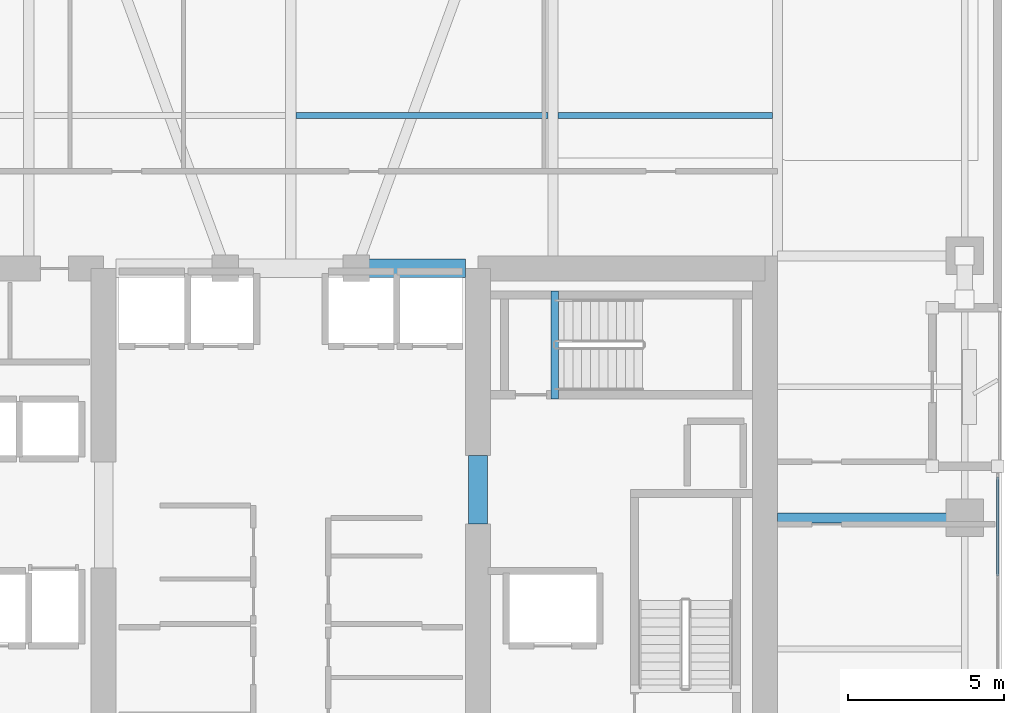
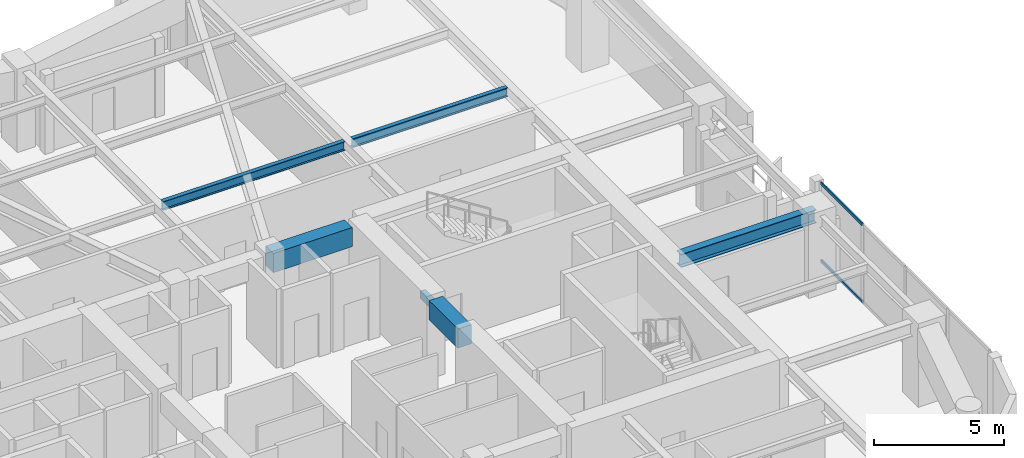
# One storey, part 10 of 30: 6 beams, 2 members, 1 element without a shape of its own.
"""IFC4 building model written with IfcOpenShell, lengths in metres."""

from ifc_helpers import new_model, si_unit, direction, frame, origin, origin_2d, place, context, subcontext, project, spatial, rectangle, hollow_rectangle, i_section, extrude, material, layer, layer_set, material_profile, profile_set, type_object, element, aggregate, save


model = new_model("IFC4")

# Units and contexts
model_context = context("Model", 3, precision=1e-05, world=origin(), true_north=direction((0.0, 1.0)))
body_context = subcontext(model_context, "Body", "Model", "MODEL_VIEW")
ifc_project = project(units=[si_unit("LENGTHUNIT", "METRE"), si_unit("AREAUNIT", "SQUARE_METRE"), si_unit("VOLUMEUNIT", "CUBIC_METRE"), si_unit("PLANEANGLEUNIT", "RADIAN"), si_unit("MASSUNIT", "GRAM", prefix="KILO")], contexts=[model_context])

# Site, building, storey
site_placement = place(None, origin())
site = spatial("IfcSite", under=ifc_project, at=site_placement, CompositionType="ELEMENT")
building_placement = place(site_placement, origin())
building = spatial("IfcBuilding", under=site, at=building_placement, Name="Kiyonajd Concourse Tower", CompositionType="ELEMENT")
storey_placement = place(building_placement, frame((0.0, 0.0, 170.10009765625)))
storey = spatial("IfcBuildingStorey", under=building, at=storey_placement, Name="L43", CompositionType="ELEMENT", Elevation=170.10009765625)

# Beams
ifc_material_1 = material(Name="Concrete C60/75", Category="concrete")
ifc_material_profile_1 = material_profile(ifc_material_1, rectangle(XDim=0.60009765625, YDim=0.89990234375, at=origin_2d()), Name="RCBM-600x900")
ifc_profile_set_1 = profile_set([ifc_material_profile_1], Name="Concrete C60/75")
beam_type_1 = type_object("IfcBeamType", Name="BM-COUP-900", PredefinedType="LINTEL", material=ifc_profile_set_1)
beam_1_placement = place(storey_placement, frame((50.10009765625, 44.0, 3.22998046875), z_axis=(1.0, 0.0, 0.0), x_axis=(0.0, 1.0, 0.0)))
element("IfcBeam", 1, at=beam_1_placement, inside=storey, type_object=beam_type_1, Name="L43 Core Coupling Beam N3", PredefinedType="LINTEL", context=body_context, shape_type="SweptSolid", body=[
    extrude(rectangle(XDim=0.60009765625, YDim=0.89990234375, at=origin_2d()), origin(), (0.0, 0.0, 1.0), 3.5),
])
beam_2_placement = place(storey_placement, frame((54.0, 35.800048828125, 3.22998046875), z_axis=(0.0, 1.0, 0.0), x_axis=(-1.0, 0.0, 0.0)))
element("IfcBeam", 2, at=beam_2_placement, inside=storey, type_object=beam_type_1, Name="L43 East Core Throat Coupling Lintel", PredefinedType="LINTEL", context=body_context, shape_type="SweptSolid", body=[
    extrude(rectangle(XDim=0.60009765625, YDim=0.89990234375, at=origin_2d()), origin(), (0.0, 0.0, 1.0), 2.199951171875),
])
ifc_material_2 = material(Name="Steel ASTM A992 Grade 50", Category="steel")
ifc_material_profile_2 = material_profile(ifc_material_2, i_section(OverallWidth=0.180908203125, OverallDepth=0.4169921875, WebThickness=0.010986328125, FlangeThickness=0.018310546875, at=origin_2d()), Name="W410X85")
ifc_profile_set_2 = profile_set([ifc_material_profile_2], Name="Steel ASTM A992 Grade 50")
beam_type_2 = type_object("IfcBeamType", Name="BM-JST-410", PredefinedType="JOIST", material=ifc_profile_set_2)
beam_3_placement = place(storey_placement, frame((48.16357421875, 48.89990234375, 3.471435546875), z_axis=(1.0, 0.0, 0.0), x_axis=(0.0, 1.0, 0.0)))
element("IfcBeam", 3, at=beam_3_placement, inside=storey, type_object=beam_type_2, Name="L43 Secondary Floor Joist", PredefinedType="JOIST", context=body_context, shape_type="SweptSolid", body=[
    extrude(i_section(OverallWidth=0.180908203125, OverallDepth=0.4169921875, WebThickness=0.010986328125, FlangeThickness=0.018310546875, at=origin_2d()), origin(), (0.0, 0.0, 1.0), 8.072998046875),
])
beam_4_placement = place(storey_placement, frame((56.5634765625, 48.89990234375, 3.471435546875), z_axis=(1.0, 0.0, 0.0), x_axis=(0.0, 1.0, 0.0)))
element("IfcBeam", 4, at=beam_4_placement, inside=storey, type_object=beam_type_2, Name="L43 Secondary Floor Joist", PredefinedType="JOIST", context=body_context, shape_type="SweptSolid", body=[
    extrude(i_section(OverallWidth=0.180908203125, OverallDepth=0.4169921875, WebThickness=0.010986328125, FlangeThickness=0.018310546875, at=origin_2d()), origin(), (0.0, 0.0, 1.0), 6.873046875),
])
ifc_material_3 = material(Name="Concrete C50/60", Category="concrete")
ifc_material_profile_3 = material_profile(ifc_material_3, rectangle(XDim=0.239990234375, YDim=0.320068359375, at=origin_2d()), Name="RCBM-240x320")
ifc_profile_set_3 = profile_set([ifc_material_profile_3], Name="Concrete C50/60")
beam_type_3 = type_object("IfcBeamType", Name="BM-LNT-250", PredefinedType="LINTEL", material=ifc_profile_set_3)
beam_5_placement = place(storey_placement, frame((56.4599609375, 39.820068359375, -0.16015625), z_axis=(0.0, 1.0, 0.0), x_axis=(-1.0, 0.0, 0.0)))
element("IfcBeam", 5, at=beam_5_placement, inside=storey, type_object=beam_type_3, Name="L43 Stair ST3 Threshold Support Beam", PredefinedType="LINTEL", context=body_context, shape_type="SweptSolid", body=[
    extrude(rectangle(XDim=0.239990234375, YDim=0.320068359375, at=origin_2d()), origin(), (0.0, 0.0, 1.0), 3.4599609375),
])
ifc_material_profile_4 = material_profile(ifc_material_2, i_section(OverallWidth=0.326904296875, OverallDepth=0.6220703125, WebThickness=0.015380859375, FlangeThickness=0.0244140625, at=origin_2d()), Name="W610X195")
ifc_profile_set_4 = profile_set([ifc_material_profile_4], Name="Steel ASTM A992 Grade 50")
beam_type_4 = type_object("IfcBeamType", Name="BM-TWR-610A", PredefinedType="BEAM", material=ifc_profile_set_4)
beam_6_placement = place(storey_placement, frame((63.60009765625, 36.0, 3.368896484375), z_axis=(1.0, 0.0, 0.0), x_axis=(0.0, 1.0, 0.0)))
element("IfcBeam", 6, at=beam_6_placement, inside=storey, type_object=beam_type_4, Name="L43 East Lease Girder", PredefinedType="BEAM", context=body_context, shape_type="SweptSolid", body=[
    extrude(i_section(OverallWidth=0.326904296875, OverallDepth=0.6220703125, WebThickness=0.015380859375, FlangeThickness=0.0244140625, at=origin_2d()), origin(), (0.0, 0.0, 1.0), 6.0),
])

# Curtain wall, members
ifc_material_4 = material(Name="Thermally Broken Anodised Aluminium", Category="aluminium")
ifc_layer = layer(ifc_material_4, 0.179931640625)
ifc_layer_set = layer_set([ifc_layer], Name="Thermally Broken Anodised Aluminium")
curtain_wall_type = type_object("IfcCurtainWallType", Name="CW-SYS-03", PredefinedType="NOTDEFINED", material=ifc_layer_set)
curtain_wall_placement = place(storey_placement, origin())
curtain_wall = element("IfcCurtainWall", 7, at=curtain_wall_placement, inside=storey, type_object=curtain_wall_type, Name="L43 Unitised Curtain Wall CW3", PredefinedType="NOTDEFINED")
ifc_material_profile_5 = material_profile(ifc_material_4, hollow_rectangle(XDim=0.06494140625, YDim=0.139892578125, WallThickness=0.00390625, at=origin_2d()), Name="TRAN-65x140")
ifc_profile_set_5 = profile_set([ifc_material_profile_5], Name="Thermally Broken Anodised Aluminium")
member_type = type_object("IfcMemberType", Name="MB-CW-TRAN1", PredefinedType="USERDEFINED", material=ifc_profile_set_5)
member_1_placement = place(storey_placement, frame((70.659912109375, 37.304931640625, 0.032470703125), z_axis=(0.0, -1.0, 0.0), x_axis=(1.0, 0.0, 0.0)))
member_1 = element("IfcMember", 8, at=member_1_placement, type_object=member_type, Name="CW3 transom 1.1", ObjectType="TRANSOM", PredefinedType="USERDEFINED", context=body_context, shape_type="SweptSolid", body=[
    extrude(hollow_rectangle(XDim=0.06494140625, YDim=0.139892578125, WallThickness=0.00390625, at=origin_2d()), origin(), (0.0, 0.0, 1.0), 3.167724609375),
])
member_2_placement = place(storey_placement, frame((70.659912109375, 37.304931640625, 3.6474609375), z_axis=(0.0, -1.0, 0.0), x_axis=(1.0, 0.0, 0.0)))
member_2 = element("IfcMember", 9, at=member_2_placement, type_object=member_type, Name="CW3 transom 1.2", ObjectType="TRANSOM", PredefinedType="USERDEFINED", context=body_context, shape_type="SweptSolid", body=[
    extrude(hollow_rectangle(XDim=0.06494140625, YDim=0.139892578125, WallThickness=0.00390625, at=origin_2d()), origin(), (0.0, 0.0, 1.0), 3.167724609375),
])
aggregate(curtain_wall, [member_1, member_2])

save(model, "model.ifc")
